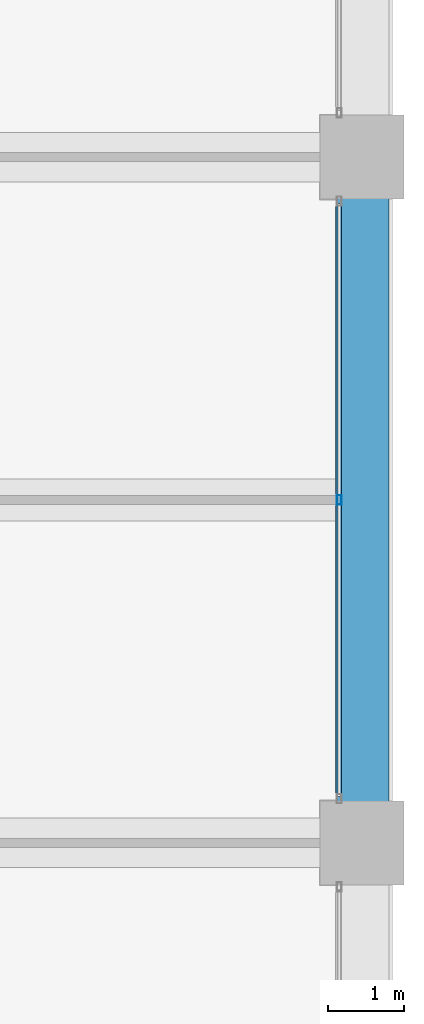
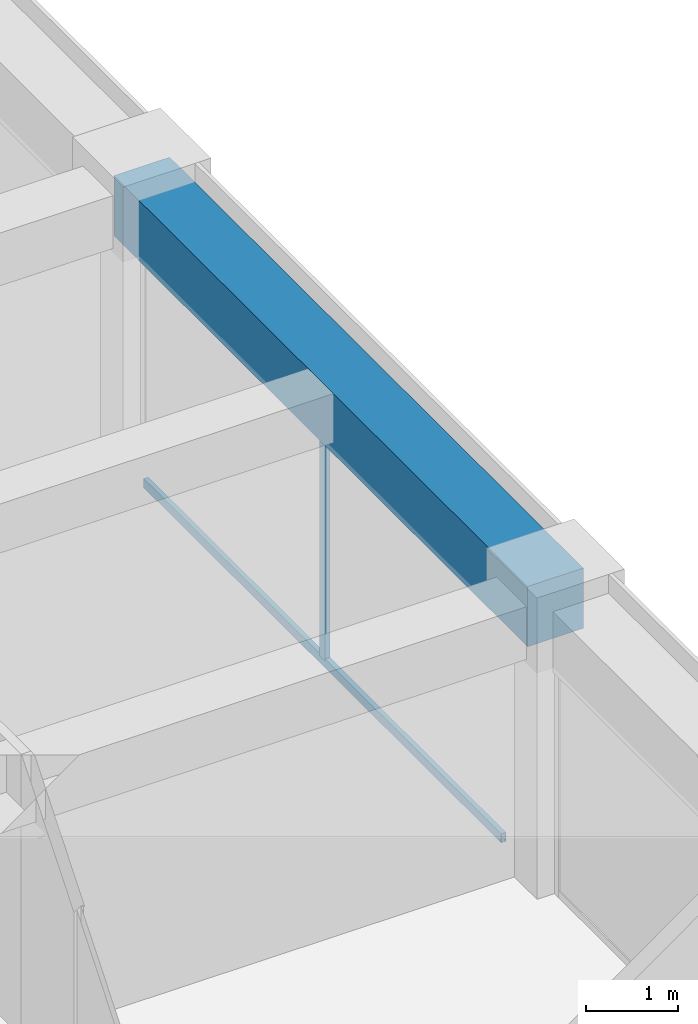
# One storey, part 25 of 44: 2 members, 1 beam, 1 element without a shape of its own.
"""IFC4 building model written with IfcOpenShell, lengths in metres."""

from ifc_helpers import new_model, si_unit, direction, frame, origin, origin_2d, place, context, subcontext, project, spatial, rectangle, hollow_rectangle, extrude, material, material_profile, profile_set, type_object, element, aggregate, save


model = new_model("IFC4")

# Units and contexts
model_context = context("Model", 3, precision=1e-05, world=origin(), true_north=direction((0.0, 1.0)))
body_context = subcontext(model_context, "Body", "Model", "MODEL_VIEW")
ifc_project = project(units=[si_unit("LENGTHUNIT", "METRE"), si_unit("AREAUNIT", "SQUARE_METRE"), si_unit("VOLUMEUNIT", "CUBIC_METRE"), si_unit("PLANEANGLEUNIT", "RADIAN"), si_unit("MASSUNIT", "GRAM", prefix="KILO")], contexts=[model_context])

# Site, building, storey
site_placement = place(None, origin())
site = spatial("IfcSite", under=ifc_project, at=site_placement, CompositionType="ELEMENT")
building_placement = place(site_placement, origin())
building = spatial("IfcBuilding", under=site, at=building_placement, Name="Zorevar Civic Tower", CompositionType="ELEMENT")
storey_placement = place(building_placement, frame((0.0, 0.0, 263.39990234375)))
storey = spatial("IfcBuildingStorey", under=building, at=storey_placement, Name="L64", CompositionType="ELEMENT", Elevation=263.39990234375)

# Curtain wall, members
ifc_material_1 = material(Name="Dark grey solar-control glass in black aluminium frame", Category="aluminium")
curtain_wall_type = type_object("IfcCurtainWallType", Name="Curtain wall CW5 top zone", PredefinedType="NOTDEFINED", material=ifc_material_1)
curtain_wall_placement = place(storey_placement, origin())
curtain_wall = element("IfcCurtainWall", 1, at=curtain_wall_placement, inside=storey, type_object=curtain_wall_type, Name="CW5 L64", PredefinedType="NOTDEFINED")
ifc_material_2 = material(Name="Aluminium, black anodised", Category="aluminium")
ifc_material_profile_1 = material_profile(ifc_material_2, hollow_rectangle(XDim=0.06005859375, YDim=0.1201171875, WallThickness=0.0029296875, at=origin_2d()), Name="AL 120x60x3")
ifc_profile_set_1 = profile_set([ifc_material_profile_1], Name="Aluminium, black anodised")
member_type_1 = type_object("IfcMemberType", Name="CW5 mullion AL 120x60x3", PredefinedType="MULLION", material=ifc_profile_set_1)
member_1_placement = place(storey_placement, frame((53.699951171875, 22.5, 0.06005859375), z_axis=(0.0, 0.0, 1.0), x_axis=(-1.0, 0.0, 0.0)))
member_1 = element("IfcMember", 2, at=member_1_placement, type_object=member_type_1, Name="CW5 mullion 2", PredefinedType="MULLION", context=body_context, shape_type="SweptSolid", body=[
    extrude(hollow_rectangle(XDim=0.06005859375, YDim=0.1201171875, WallThickness=0.0029296875, at=origin_2d()), origin(), (0.0, 0.0, 1.0), 2.89013671875),
])
ifc_material_3 = material(Name="Aluminium, black anodised", Category="aluminium")
ifc_material_profile_2 = material_profile(ifc_material_3, hollow_rectangle(XDim=0.06005859375, YDim=0.1201171875, WallThickness=0.0029296875, at=origin_2d()), Name="AL 120x60x3")
ifc_profile_set_2 = profile_set([ifc_material_profile_2], Name="Aluminium, black anodised")
member_type_2 = type_object("IfcMemberType", Name="CW5 transom AL 120x60x3", PredefinedType="USERDEFINED", material=ifc_profile_set_2)
member_2_placement = place(storey_placement, frame((53.699951171875, 18.610107421875, 0.030029296875), z_axis=(0.0, 1.0, 0.0), x_axis=(-1.0, 0.0, 0.0)))
member_2 = element("IfcMember", 3, at=member_2_placement, type_object=member_type_2, Name="CW5 sill transom", ObjectType="TRANSOM", PredefinedType="USERDEFINED", context=body_context, shape_type="SweptSolid", body=[
    extrude(hollow_rectangle(XDim=0.06005859375, YDim=0.1201171875, WallThickness=0.0029296875, at=origin_2d()), origin(), (0.0, 0.0, 1.0), 7.77978515625),
])
aggregate(curtain_wall, [member_1, member_2])

# Beam
ifc_material_4 = material(Name="Concrete C50/60", Category="concrete")
ifc_material_profile_3 = material_profile(ifc_material_4, rectangle(XDim=0.699951171875, YDim=0.800048828125, at=origin_2d()), Name="RC 700x800")
ifc_profile_set_3 = profile_set([ifc_material_profile_3], Name="Concrete C50/60")
beam_type = type_object("IfcBeamType", Name="Edge beam RC 700x800", PredefinedType="SPANDREL", material=ifc_profile_set_3)
beam_placement = place(storey_placement, frame((54.0, 18.0, 3.35009765625), z_axis=(0.0, 1.0, 0.0), x_axis=(-1.0, 0.0, 0.0)))
element("IfcBeam", 4, at=beam_placement, inside=storey, type_object=beam_type, Name="Edge beam L65", PredefinedType="SPANDREL", context=body_context, shape_type="SweptSolid", body=[
    extrude(rectangle(XDim=0.699951171875, YDim=0.800048828125, at=origin_2d()), origin(), (0.0, 0.0, 1.0), 9.0),
])

save(model, "model.ifc")
